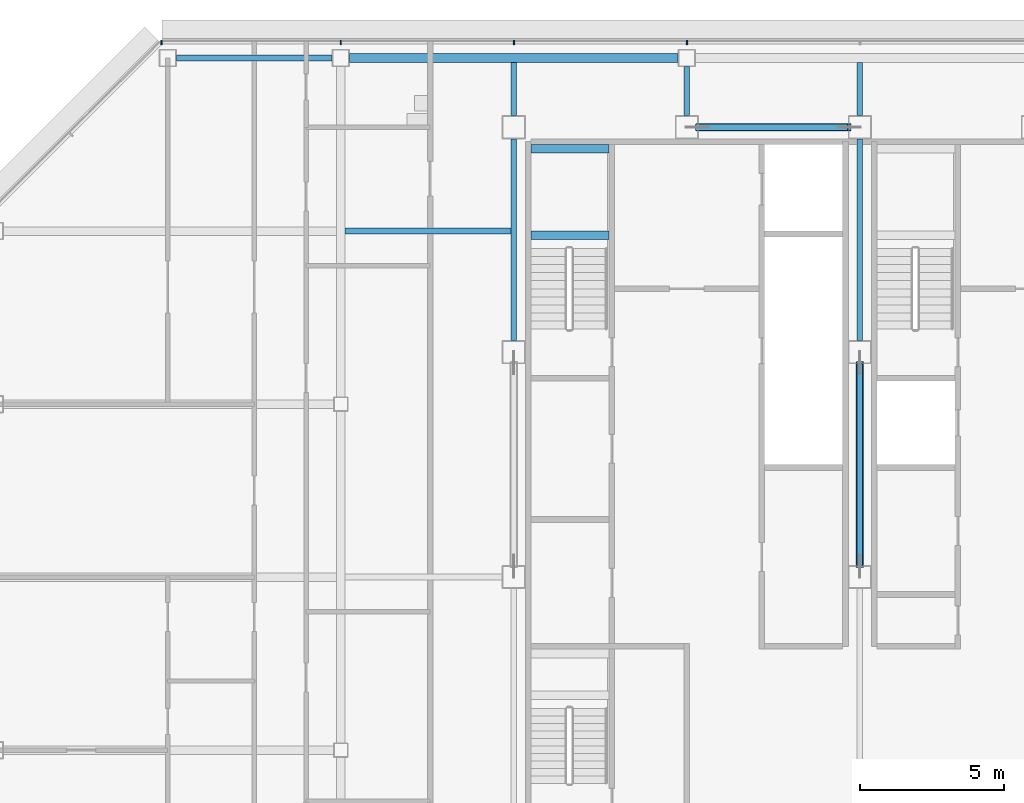
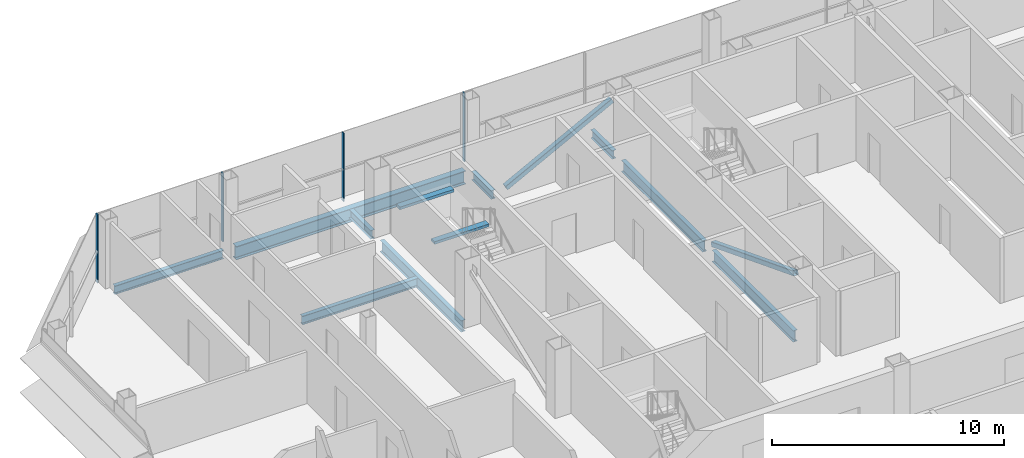
# One storey, part 14 of 30: 11 beams, 6 members, 1 element without a shape of its own.
"""IFC4 building model written with IfcOpenShell, lengths in metres."""

from ifc_helpers import new_model, si_unit, direction, frame, origin, origin_2d, place, context, subcontext, project, spatial, rectangle, hollow_rectangle, i_section, extrude, material, material_profile, profile_set, type_object, element, aggregate, save


model = new_model("IFC4")

# Units and contexts
model_context = context("Model", 3, precision=1e-05, world=origin(), true_north=direction((0.0, 1.0)))
body_context = subcontext(model_context, "Body", "Model", "MODEL_VIEW")
ifc_project = project(units=[si_unit("LENGTHUNIT", "METRE"), si_unit("AREAUNIT", "SQUARE_METRE"), si_unit("VOLUMEUNIT", "CUBIC_METRE"), si_unit("PLANEANGLEUNIT", "RADIAN"), si_unit("MASSUNIT", "GRAM", prefix="KILO")], contexts=[model_context])

# Site, building, storey
site_placement = place(None, origin())
site = spatial("IfcSite", under=ifc_project, at=site_placement, CompositionType="ELEMENT")
building_placement = place(site_placement, origin())
building = spatial("IfcBuilding", under=site, at=building_placement, Name="Sorahane Residences", CompositionType="ELEMENT")
storey_placement = place(building_placement, frame((0.0, 0.0, 263.0)))
storey = spatial("IfcBuildingStorey", under=building, at=storey_placement, Name="L62", CompositionType="ELEMENT", Elevation=263.0)

# Members
ifc_material_1 = material(Name="Steel Q355B", Category="steel")
ifc_material_profile_1 = material_profile(ifc_material_1, hollow_rectangle(XDim=0.25, YDim=0.25, WallThickness=0.013916015625, InnerFilletRadius=0.007080078125, OuterFilletRadius=0.02099609375, at=origin_2d()), Name="RHS 250x250x14")
ifc_profile_set_1 = profile_set([ifc_material_profile_1], Name="Steel Q355B")
member_type_1 = type_object("IfcMemberType", Name="Core brace RHS 250x250x14 Q355B", PredefinedType="BRACE", material=ifc_profile_set_1)
member_1_placement = place(storey_placement, frame((12.365234375, 45.60009765625, 0.10693359375), z_axis=(0.886099769192, 0.0, 0.46349455125), x_axis=(0.0, 1.0, 0.0)))
element("IfcMember", 1, at=member_1_placement, inside=storey, type_object=member_type_1, Name="Core brace L62 y45.6-2", PredefinedType="BRACE", context=body_context, shape_type="SweptSolid", body=[
    extrude(hollow_rectangle(XDim=0.25, YDim=0.25, WallThickness=0.013916015625, InnerFilletRadius=0.007080078125, OuterFilletRadius=0.02099609375, at=origin_2d()), origin(), (0.0, 0.0, 1.0), 5.94677734375),
])
member_2_placement = place(storey_placement, frame((18.0, 37.42724609375, 0.114501953125), z_axis=(0.0, -0.932112994653, 0.362167592697), x_axis=(1.0, 0.0, 0.0)))
element("IfcMember", 2, at=member_2_placement, inside=storey, type_object=member_type_1, Name="Core brace L62 x18-1", PredefinedType="BRACE", context=body_context, shape_type="SweptSolid", body=[
    extrude(hollow_rectangle(XDim=0.25, YDim=0.25, WallThickness=0.013916015625, InnerFilletRadius=0.007080078125, OuterFilletRadius=0.02099609375, at=origin_2d()), origin(), (0.0, 0.0, 1.0), 7.568115234375),
])

# Curtain wall, members
ifc_material_2 = material(Name="Dark low-e glass and black anodised aluminium", Category="aluminium")
curtain_wall_type = type_object("IfcCurtainWallType", Name="Curtain wall CW-1 Typical unitised wall", PredefinedType="NOTDEFINED", material=ifc_material_2)
curtain_wall_placement = place(storey_placement, origin())
curtain_wall = element("IfcCurtainWall", 3, at=curtain_wall_placement, inside=storey, type_object=curtain_wall_type, Name="CW-1 curtain wall L62 N1", PredefinedType="NOTDEFINED")
ifc_material_3 = material(Name="Black anodised aluminium", Category="aluminium")
ifc_material_profile_2 = material_profile(ifc_material_3, rectangle(XDim=0.159912109375, YDim=0.050048828125, at=origin_2d()), Name="Curtain wall mullion CW-1 black anodised aluminium 50x160")
ifc_profile_set_2 = profile_set([ifc_material_profile_2], Name="Black anodised aluminium")
member_type_2 = type_object("IfcMemberType", Name="Curtain wall mullion CW-1 black anodised aluminium 50x160", PredefinedType="MULLION", material=ifc_profile_set_2)
member_3_placement = place(storey_placement, frame((12.0, 48.5400390625, -0.179931640625), z_axis=(0.0, 0.0, 1.0), x_axis=(0.0, 1.0, 0.0)))
member_3 = element("IfcMember", 4, at=member_3_placement, type_object=member_type_2, Name="CW-1 mullion L62 N1.7", PredefinedType="MULLION", context=body_context, shape_type="SweptSolid", body=[
    extrude(rectangle(XDim=0.159912109375, YDim=0.050048828125, at=origin_2d()), origin(), (0.0, 0.0, 1.0), 3.599853515625),
])
member_4_placement = place(storey_placement, frame((6.0, 48.5400390625, -0.179931640625), z_axis=(0.0, 0.0, 1.0), x_axis=(0.0, 1.0, 0.0)))
member_4 = element("IfcMember", 5, at=member_4_placement, type_object=member_type_2, Name="CW-1 mullion L62 N1.8", PredefinedType="MULLION", context=body_context, shape_type="SweptSolid", body=[
    extrude(rectangle(XDim=0.159912109375, YDim=0.050048828125, at=origin_2d()), origin(), (0.0, 0.0, 1.0), 3.599853515625),
])
member_5_placement = place(storey_placement, frame((0.0, 48.5400390625, -0.179931640625), z_axis=(0.0, 0.0, 1.0), x_axis=(0.0, 1.0, 0.0)))
member_5 = element("IfcMember", 6, at=member_5_placement, type_object=member_type_2, Name="CW-1 mullion L62 N1.9", PredefinedType="MULLION", context=body_context, shape_type="SweptSolid", body=[
    extrude(rectangle(XDim=0.159912109375, YDim=0.050048828125, at=origin_2d()), origin(), (0.0, 0.0, 1.0), 3.599853515625),
])
member_6_placement = place(storey_placement, frame((-6.2236328125, 48.5400390625, -0.179931640625), z_axis=(0.0, 0.0, 1.0), x_axis=(0.0, 1.0, 0.0)))
member_6 = element("IfcMember", 7, at=member_6_placement, type_object=member_type_2, Name="CW-1 mullion L62 N1.10", PredefinedType="MULLION", context=body_context, shape_type="SweptSolid", body=[
    extrude(rectangle(XDim=0.159912109375, YDim=0.050048828125, at=origin_2d()), origin(), (0.0, 0.0, 1.0), 3.599853515625),
])
aggregate(curtain_wall, [member_3, member_4, member_5, member_6])

# Beams
ifc_material_4 = material(Name="Concrete C40", Category="concrete")
ifc_material_profile_3 = material_profile(ifc_material_4, rectangle(XDim=0.300048828125, YDim=0.139892578125, at=origin_2d()), Name="300x140")
ifc_profile_set_3 = profile_set([ifc_material_profile_3], Name="Concrete C40")
beam_type_1 = type_object("IfcBeamType", Name="RC landing beam 300 x 140 Concrete C40", PredefinedType="BEAM", material=ifc_profile_set_3)
for number, where, z_axis, x_axis, name in (
    (8, (6.60009765625, 41.85009765625, 1.530029296875), (1.0, 0.0, 0.0), (0.0, 1.0, 0.0), "Landing beam"),
    (9, (6.60009765625, 44.85009765625, 1.530029296875), (1.0, 0.0, 0.0), (0.0, 1.0, 0.0), "Landing beam"),
):
    element("IfcBeam", number, at=place(storey_placement, frame(where, z_axis=z_axis, x_axis=x_axis)), inside=storey, type_object=beam_type_1, Name=name, PredefinedType="BEAM", context=body_context, shape_type="SweptSolid", body=[
        extrude(rectangle(XDim=0.300048828125, YDim=0.139892578125, at=origin_2d()), origin(), (0.0, 0.0, 1.0), 2.699951171875),
    ])
ifc_material_5 = material(Name="Steel Q355B", Category="steel")
ifc_material_profile_4 = material_profile(ifc_material_5, i_section(OverallWidth=0.199951171875, OverallDepth=0.449951171875, WebThickness=0.009033203125, FlangeThickness=0.013916015625, FilletRadius=0.02001953125, at=origin_2d()), Name="HN 450x200x9x14")
ifc_profile_set_4 = profile_set([ifc_material_profile_4], Name="Steel Q355B")
beam_type_2 = type_object("IfcBeamType", Name="Steel floor beam HN 450x200x9x14 Q355B", PredefinedType="BEAM", material=ifc_profile_set_4)
beam_1_placement = place(storey_placement, frame((-5.699951171875, 48.0, -0.405029296875), z_axis=(1.0, 0.0, 0.0), x_axis=(0.0, 1.0, 0.0)))
element("IfcBeam", 10, at=beam_1_placement, inside=storey, type_object=beam_type_2, Name="Beam L62 014", PredefinedType="BEAM", context=body_context, shape_type="SweptSolid", body=[
    extrude(i_section(OverallWidth=0.199951171875, OverallDepth=0.449951171875, WebThickness=0.009033203125, FlangeThickness=0.013916015625, FilletRadius=0.02001953125, at=origin_2d()), origin(), (0.0, 0.0, 1.0), 5.39990234375),
])
beam_2_placement = place(storey_placement, frame((6.0, 46.0, -0.405029296875), z_axis=(0.0, 1.0, 0.0), x_axis=(-1.0, 0.0, 0.0)))
element("IfcBeam", 11, at=beam_2_placement, inside=storey, type_object=beam_type_2, Name="Beam L62 032", PredefinedType="BEAM", context=body_context, shape_type="SweptSolid", body=[
    extrude(i_section(OverallWidth=0.199951171875, OverallDepth=0.449951171875, WebThickness=0.009033203125, FlangeThickness=0.013916015625, FilletRadius=0.02001953125, at=origin_2d()), origin(), (0.0, 0.0, 1.0), 1.85009765625),
])
beam_3_placement = place(storey_placement, frame((12.0, 46.0, -0.405029296875), z_axis=(0.0, 1.0, 0.0), x_axis=(-1.0, 0.0, 0.0)))
element("IfcBeam", 12, at=beam_3_placement, inside=storey, type_object=beam_type_2, Name="Beam L62 034", PredefinedType="BEAM", context=body_context, shape_type="SweptSolid", body=[
    extrude(i_section(OverallWidth=0.199951171875, OverallDepth=0.449951171875, WebThickness=0.009033203125, FlangeThickness=0.013916015625, FilletRadius=0.02001953125, at=origin_2d()), origin(), (0.0, 0.0, 1.0), 1.699951171875),
])
beam_4_placement = place(storey_placement, frame((18.0, 46.0, -0.405029296875), z_axis=(0.0, 1.0, 0.0), x_axis=(-1.0, 0.0, 0.0)))
element("IfcBeam", 13, at=beam_4_placement, inside=storey, type_object=beam_type_2, Name="Beam L62 040", PredefinedType="BEAM", context=body_context, shape_type="SweptSolid", body=[
    extrude(i_section(OverallWidth=0.199951171875, OverallDepth=0.449951171875, WebThickness=0.009033203125, FlangeThickness=0.013916015625, FilletRadius=0.02001953125, at=origin_2d()), origin(), (0.0, 0.0, 1.0), 1.85009765625),
])
beam_5_placement = place(storey_placement, frame((0.14990234375, 42.0, -0.405029296875), z_axis=(1.0, 0.0, 0.0), x_axis=(0.0, 1.0, 0.0)))
element("IfcBeam", 14, at=beam_5_placement, inside=storey, type_object=beam_type_2, Name="Beam L62 085", PredefinedType="BEAM", context=body_context, shape_type="SweptSolid", body=[
    extrude(i_section(OverallWidth=0.199951171875, OverallDepth=0.449951171875, WebThickness=0.009033203125, FlangeThickness=0.013916015625, FilletRadius=0.02001953125, at=origin_2d()), origin(), (0.0, 0.0, 1.0), 5.75),
])
ifc_material_6 = material(Name="Steel Q355B", Category="steel")
ifc_material_profile_5 = material_profile(ifc_material_6, i_section(OverallWidth=0.199951171875, OverallDepth=0.60009765625, WebThickness=0.010986328125, FlangeThickness=0.01708984375, FilletRadius=0.02392578125, at=origin_2d()), Name="HN 600x200x11x17")
ifc_profile_set_5 = profile_set([ifc_material_profile_5], Name="Steel Q355B")
beam_type_3 = type_object("IfcBeamType", Name="Steel floor beam HN 600x200x11x17 Q355B", PredefinedType="BEAM", material=ifc_profile_set_5)
for number, where, z_axis, x_axis, name in (
    (15, (6.0, 38.199951171875, -0.47998046875), (0.0, 1.0, 0.0), (-1.0, 0.0, 0.0), "Beam L62 031"),
    (16, (18.0, 30.39990234375, -0.47998046875), (0.0, 1.0, 0.0), (-1.0, 0.0, 0.0), "Beam L62 038"),
    (17, (18.0, 38.199951171875, -0.47998046875), (0.0, 1.0, 0.0), (-1.0, 0.0, 0.0), "Beam L62 039"),
):
    element("IfcBeam", number, at=place(storey_placement, frame(where, z_axis=z_axis, x_axis=x_axis)), inside=storey, type_object=beam_type_3, Name=name, PredefinedType="BEAM", context=body_context, shape_type="SweptSolid", body=[
        extrude(i_section(OverallWidth=0.199951171875, OverallDepth=0.60009765625, WebThickness=0.010986328125, FlangeThickness=0.01708984375, FilletRadius=0.02392578125, at=origin_2d()), origin(), (0.0, 0.0, 1.0), 7.0),
    ])
ifc_material_7 = material(Name="Steel Q355B", Category="steel")
ifc_material_profile_6 = material_profile(ifc_material_7, i_section(OverallWidth=0.300048828125, OverallDepth=0.699951171875, WebThickness=0.012939453125, FlangeThickness=0.02392578125, FilletRadius=0.028076171875, at=origin_2d()), Name="HN 700x300x13x24")
ifc_profile_set_6 = profile_set([ifc_material_profile_6], Name="Steel Q355B")
beam_type_4 = type_object("IfcBeamType", Name="Steel floor beam HN 700x300x13x24 Q355B", PredefinedType="BEAM", material=ifc_profile_set_6)
beam_6_placement = place(storey_placement, frame((0.300048828125, 48.0, -0.530029296875), z_axis=(1.0, 0.0, 0.0), x_axis=(0.0, 1.0, 0.0)))
element("IfcBeam", 18, at=beam_6_placement, inside=storey, type_object=beam_type_4, Name="Beam L62 015", PredefinedType="BEAM", context=body_context, shape_type="SweptSolid", body=[
    extrude(i_section(OverallWidth=0.300048828125, OverallDepth=0.699951171875, WebThickness=0.012939453125, FlangeThickness=0.02392578125, FilletRadius=0.028076171875, at=origin_2d()), origin(), (0.0, 0.0, 1.0), 11.39990234375),
])

save(model, "model.ifc")
